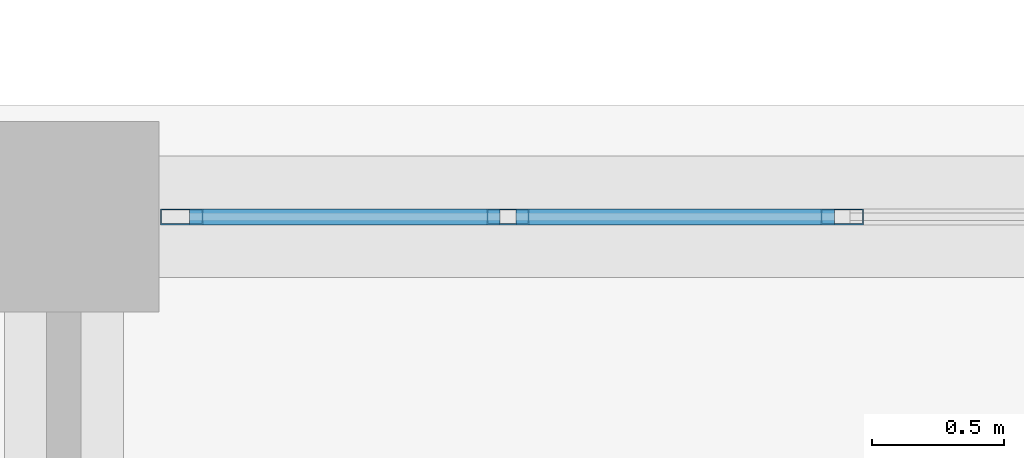
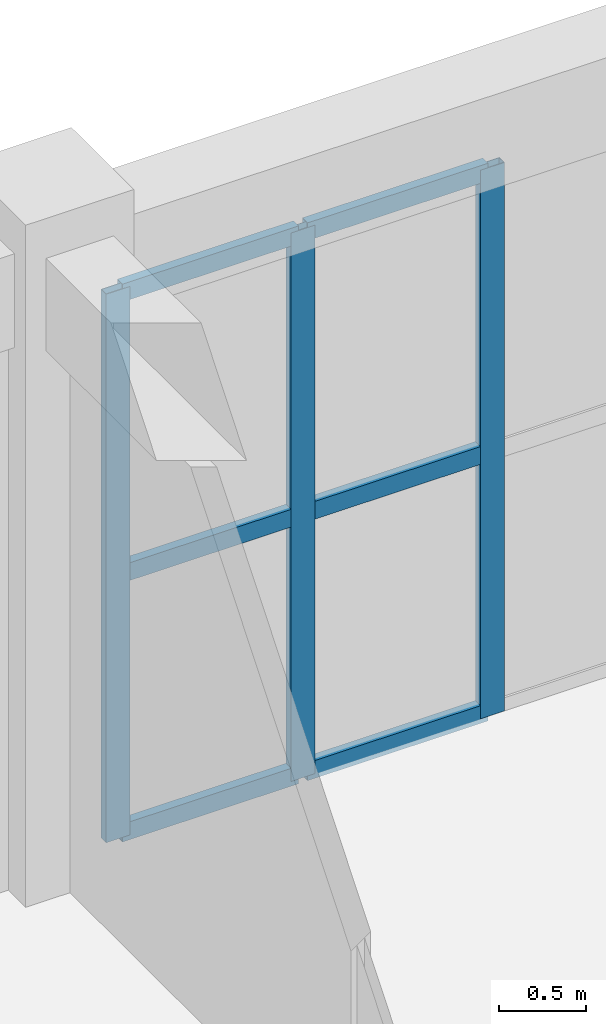
# One storey, part 87 of 158: 9 members, 1 element without a shape of its own.
"""IFC4 building model written with IfcOpenShell, lengths in metres."""

from ifc_helpers import new_model, si_unit, direction, frame, origin, origin_2d, place, context, subcontext, project, spatial, hollow_rectangle, extrude, material, layer, layer_set, material_profile, profile_set, type_object, element, aggregate, save


model = new_model("IFC4")

# Units and contexts
model_context = context("Model", 3, precision=1e-05, world=origin(), true_north=direction((0.0, 1.0)))
body_context = subcontext(model_context, "Body", "Model", "MODEL_VIEW")
ifc_project = project(units=[si_unit("LENGTHUNIT", "METRE"), si_unit("AREAUNIT", "SQUARE_METRE"), si_unit("VOLUMEUNIT", "CUBIC_METRE"), si_unit("PLANEANGLEUNIT", "RADIAN"), si_unit("MASSUNIT", "GRAM", prefix="KILO")], contexts=[model_context])

# Site, building, storey
site_placement = place(None, origin())
site = spatial("IfcSite", under=ifc_project, at=site_placement, CompositionType="ELEMENT")
building_placement = place(site_placement, origin())
building = spatial("IfcBuilding", under=site, at=building_placement, Name="Trelvath General Hospital", CompositionType="ELEMENT")
storey_placement = place(building_placement, frame((0.0, 0.0, 8.10009765625)))
storey = spatial("IfcBuildingStorey", under=building, at=storey_placement, Name="L02", CompositionType="ELEMENT", Elevation=8.10009765625)

# Curtain wall, members
ifc_material_1 = material(Name="Anodised aluminium and low-E glass", Category="aluminium")
ifc_layer = layer(ifc_material_1, 0.159912109375)
ifc_layer_set = layer_set([ifc_layer], Name="Anodised aluminium and low-E glass")
curtain_wall_type = type_object("IfcCurtainWallType", Name="CW Facade 757 386 16", PredefinedType="USERDEFINED", material=ifc_layer_set)
curtain_wall_placement = place(storey_placement, origin())
curtain_wall = element("IfcCurtainWall", 1, at=curtain_wall_placement, inside=storey, type_object=curtain_wall_type, Name="Facade Curtain Wall CW-045", ObjectType="Unitised Glazed Curtain Wall", PredefinedType="USERDEFINED")
ifc_material_2 = material(Name="Anodised aluminium", Category="aluminium")
ifc_material_profile_1 = material_profile(ifc_material_2, hollow_rectangle(XDim=0.06005859375, YDim=0.159912109375, WallThickness=0.00390625, at=origin_2d()), Name="RHS60x160x4")
ifc_profile_set_1 = profile_set([ifc_material_profile_1], Name="Anodised aluminium")
member_type_1 = type_object("IfcMemberType", Name="CurtainMullion 60x160", PredefinedType="MULLION", material=ifc_profile_set_1)
member_1_placement = place(storey_placement, frame((92.844970703125, 117.60009765625, 0.0), z_axis=(0.0, 0.0, 1.0), x_axis=(0.0, 1.0, 0.0)))
member_1 = element("IfcMember", 2, at=member_1_placement, type_object=member_type_1, Name="CW-045 mullion 1", PredefinedType="MULLION", context=body_context, shape_type="SweptSolid", body=[
    extrude(hollow_rectangle(XDim=0.06005859375, YDim=0.159912109375, WallThickness=0.00390625, at=origin_2d()), origin(), (0.0, 0.0, 1.0), 3.85986328125),
])
member_2_placement = place(storey_placement, frame((94.07666015625, 117.60009765625, 0.0), z_axis=(0.0, 0.0, 1.0), x_axis=(0.0, 1.0, 0.0)))
member_2 = element("IfcMember", 3, at=member_2_placement, type_object=member_type_1, Name="CW-045 mullion 2", PredefinedType="MULLION", context=body_context, shape_type="SweptSolid", body=[
    extrude(hollow_rectangle(XDim=0.06005859375, YDim=0.159912109375, WallThickness=0.00390625, at=origin_2d()), origin(), (0.0, 0.0, 1.0), 3.85986328125),
])
member_3_placement = place(storey_placement, frame((95.33837890625, 117.60009765625, 0.0), z_axis=(0.0, 0.0, 1.0), x_axis=(0.0, 1.0, 0.0)))
member_3 = element("IfcMember", 4, at=member_3_placement, type_object=member_type_1, Name="CW-045 mullion 3", PredefinedType="MULLION", context=body_context, shape_type="SweptSolid", body=[
    extrude(hollow_rectangle(XDim=0.06005859375, YDim=0.159912109375, WallThickness=0.00390625, at=origin_2d()), origin(), (0.0, 0.0, 1.0), 3.85986328125),
])
ifc_material_3 = material(Name="Anodised aluminium", Category="aluminium")
ifc_material_profile_2 = material_profile(ifc_material_3, hollow_rectangle(XDim=0.06005859375, YDim=0.125, WallThickness=0.00390625, at=origin_2d()), Name="RHS60x125x4")
ifc_profile_set_2 = profile_set([ifc_material_profile_2], Name="Anodised aluminium")
member_type_2 = type_object("IfcMemberType", Name="CurtainTransom 60x125", PredefinedType="USERDEFINED", material=ifc_profile_set_2)
member_4_placement = place(storey_placement, frame((92.875, 117.60009765625, 0.02978515625), z_axis=(1.0, 0.0, 0.0), x_axis=(0.0, 1.0, 0.0)))
member_4 = element("IfcMember", 5, at=member_4_placement, type_object=member_type_2, Name="CW-045 transom 1.1", ObjectType="TRANSOM", PredefinedType="USERDEFINED", context=body_context, shape_type="SweptSolid", body=[
    extrude(hollow_rectangle(XDim=0.06005859375, YDim=0.125, WallThickness=0.00390625, at=origin_2d()), origin(), (0.0, 0.0, 1.0), 1.171630859375),
])
member_5_placement = place(storey_placement, frame((92.875, 117.60009765625, 1.852783203125), z_axis=(1.0, 0.0, 0.0), x_axis=(0.0, 1.0, 0.0)))
member_5 = element("IfcMember", 6, at=member_5_placement, type_object=member_type_2, Name="CW-045 transom 1.2", ObjectType="TRANSOM", PredefinedType="USERDEFINED", context=body_context, shape_type="SweptSolid", body=[
    extrude(hollow_rectangle(XDim=0.06005859375, YDim=0.125, WallThickness=0.00390625, at=origin_2d()), origin(), (0.0, 0.0, 1.0), 1.171630859375),
])
member_6_placement = place(storey_placement, frame((92.875, 117.60009765625, 3.829833984375), z_axis=(1.0, 0.0, 0.0), x_axis=(0.0, 1.0, 0.0)))
member_6 = element("IfcMember", 7, at=member_6_placement, type_object=member_type_2, Name="CW-045 transom 1.3", ObjectType="TRANSOM", PredefinedType="USERDEFINED", context=body_context, shape_type="SweptSolid", body=[
    extrude(hollow_rectangle(XDim=0.06005859375, YDim=0.125, WallThickness=0.00390625, at=origin_2d()), origin(), (0.0, 0.0, 1.0), 1.171630859375),
])
member_7_placement = place(storey_placement, frame((94.106689453125, 117.60009765625, 0.02978515625), z_axis=(1.0, 0.0, 0.0), x_axis=(0.0, 1.0, 0.0)))
member_7 = element("IfcMember", 8, at=member_7_placement, type_object=member_type_2, Name="CW-045 transom 2.1", ObjectType="TRANSOM", PredefinedType="USERDEFINED", context=body_context, shape_type="SweptSolid", body=[
    extrude(hollow_rectangle(XDim=0.06005859375, YDim=0.125, WallThickness=0.00390625, at=origin_2d()), origin(), (0.0, 0.0, 1.0), 1.20166015625),
])
member_8_placement = place(storey_placement, frame((94.106689453125, 117.60009765625, 1.852783203125), z_axis=(1.0, 0.0, 0.0), x_axis=(0.0, 1.0, 0.0)))
member_8 = element("IfcMember", 9, at=member_8_placement, type_object=member_type_2, Name="CW-045 transom 2.2", ObjectType="TRANSOM", PredefinedType="USERDEFINED", context=body_context, shape_type="SweptSolid", body=[
    extrude(hollow_rectangle(XDim=0.06005859375, YDim=0.125, WallThickness=0.00390625, at=origin_2d()), origin(), (0.0, 0.0, 1.0), 1.20166015625),
])
member_9_placement = place(storey_placement, frame((94.106689453125, 117.60009765625, 3.829833984375), z_axis=(1.0, 0.0, 0.0), x_axis=(0.0, 1.0, 0.0)))
member_9 = element("IfcMember", 10, at=member_9_placement, type_object=member_type_2, Name="CW-045 transom 2.3", ObjectType="TRANSOM", PredefinedType="USERDEFINED", context=body_context, shape_type="SweptSolid", body=[
    extrude(hollow_rectangle(XDim=0.06005859375, YDim=0.125, WallThickness=0.00390625, at=origin_2d()), origin(), (0.0, 0.0, 1.0), 1.20166015625),
])
aggregate(curtain_wall, [member_1, member_2, member_3, member_4, member_5, member_6, member_7, member_8, member_9])

save(model, "model.ifc")
